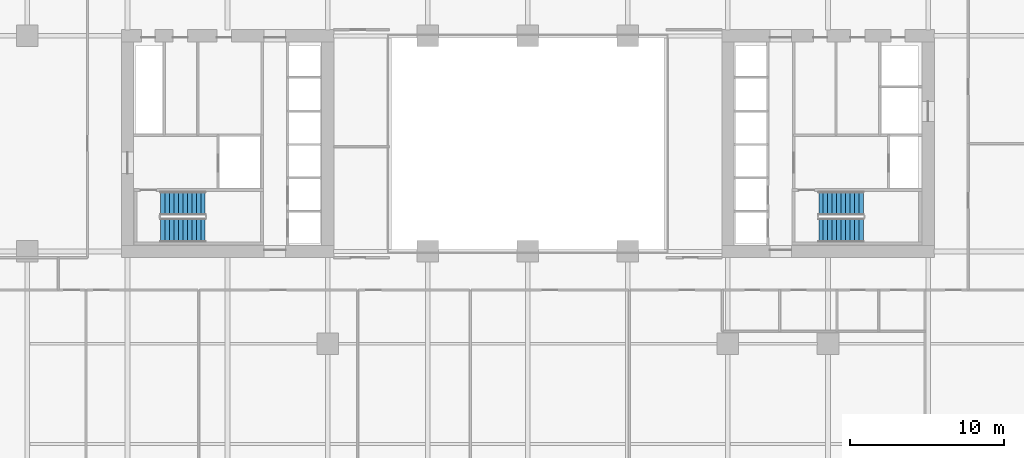
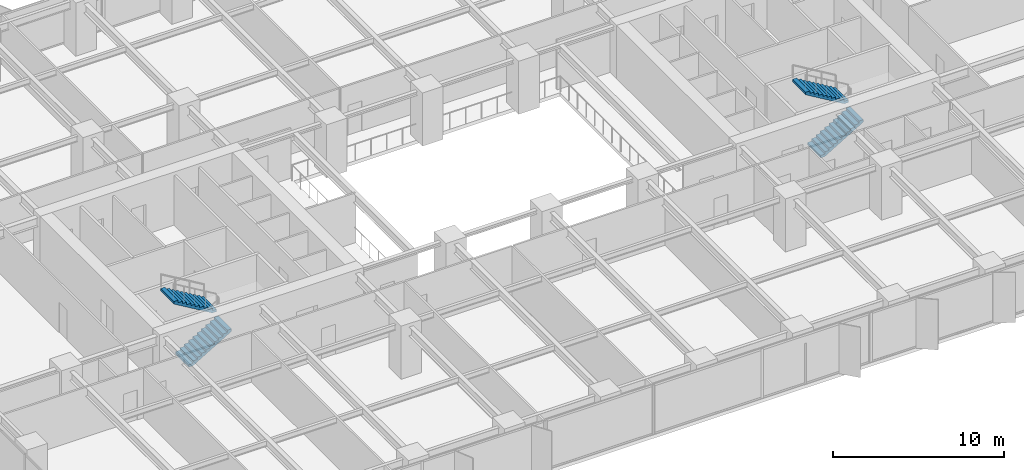
# One storey, part 16 of 20: 4 stair flights, 2 elements without a shape of their own.
"""IFC4 building model written with IfcOpenShell, lengths in metres."""

from ifc_helpers import new_model, si_unit, direction, frame, origin, place, context, subcontext, project, spatial, polyline, outline, extrude, material, type_object, element, aggregate, save


model = new_model("IFC4")

# Units and contexts
model_context = context("Model", 3, precision=1e-05, world=origin(), true_north=direction((0.0, 1.0)))
body_context = subcontext(model_context, "Body", "Model", "MODEL_VIEW")
ifc_project = project(units=[si_unit("LENGTHUNIT", "METRE"), si_unit("AREAUNIT", "SQUARE_METRE"), si_unit("VOLUMEUNIT", "CUBIC_METRE"), si_unit("PLANEANGLEUNIT", "RADIAN"), si_unit("MASSUNIT", "GRAM", prefix="KILO")], contexts=[model_context])

# Site, building, storey
site_placement = place(None, origin())
site = spatial("IfcSite", under=ifc_project, at=site_placement, CompositionType="ELEMENT")
building_placement = place(site_placement, origin())
building = spatial("IfcBuilding", under=site, at=building_placement, Name="Putna Gate Headquarters", CompositionType="ELEMENT")
storey_placement = place(building_placement, frame((0.0, 0.0, 69.60009765625)))
storey = spatial("IfcBuildingStorey", under=building, at=storey_placement, Name="L16", CompositionType="ELEMENT", Elevation=69.60009765625)

# Stair, stair flights
ifc_material = material(Name="Concrete C40/50", Category="concrete")
stair_type_1 = type_object("IfcStairType", Name="STAIR-ST1", PredefinedType="HALF_TURN_STAIR", material=ifc_material)
stair_1_placement = place(storey_placement, origin())
stair_1 = element("IfcStair", 1, at=stair_1_placement, inside=storey, type_object=stair_type_1, Name="L16 West Core Exit Stair ST1", PredefinedType="HALF_TURN_STAIR")
stair_flight_type_1 = type_object("IfcStairFlightType", Name="FLIGHT-ST1", PredefinedType="STRAIGHT", material=ifc_material)
stair_flight_1_placement = place(storey_placement, frame((15.14990234375, 20.375, 0.0), z_axis=(0.0, 0.0, 1.0), x_axis=(1.0, 0.0, 0.0)))
stair_flight_1 = element("IfcStairFlight", 2, at=stair_flight_1_placement, type_object=stair_flight_type_1, Name="ST1 flight 1", NumberOfRisers=11, NumberOfTreads=10, PredefinedType="STRAIGHT", RiserHeight=0.172727273, TreadLength=0.29, context=body_context, shape_type="SweptSolid", body=[
    extrude(outline(polyline([(0.0, 0.0), (0.0, 0.172607421875), (0.2900390625, 0.172607421875), (0.2900390625, 0.345458984375), (0.580078125, 0.345458984375), (0.580078125, 0.51806640625), (0.8701171875, 0.51806640625), (0.8701171875, 0.69091796875), (1.159912109375, 0.69091796875), (1.159912109375, 0.863525390625), (1.449951171875, 0.863525390625), (1.449951171875, 1.036376953125), (1.739990234375, 1.036376953125), (1.739990234375, 1.208984375), (2.030029296875, 1.208984375), (2.030029296875, 1.3818359375), (2.320068359375, 1.3818359375), (2.320068359375, 1.554443359375), (2.610107421875, 1.554443359375), (2.610107421875, 1.727294921875), (2.89990234375, 1.727294921875), (2.89990234375, 1.89990234375), (2.89990234375, 1.552734375), (0.29296875, 0.0), (0.0, 0.0)])), frame((0.0, 0.77490234375, 0.0), z_axis=(0.0, -1.0, 0.0), x_axis=(1.0, 0.0, 0.0)), (0.0, 0.0, 1.0), 1.550048828125),
])
stair_flight_2_placement = place(storey_placement, frame((18.050048828125, 22.125, 1.89990234375), z_axis=(0.0, 0.0, 1.0), x_axis=(-1.0, 0.0, 0.0)))
stair_flight_2 = element("IfcStairFlight", 3, at=stair_flight_2_placement, type_object=stair_flight_type_1, Name="ST1 flight 2", NumberOfRisers=11, NumberOfTreads=10, PredefinedType="STRAIGHT", RiserHeight=0.172727273, TreadLength=0.29, context=body_context, shape_type="SweptSolid", body=[
    extrude(outline(polyline([(0.0, 0.0), (0.0, 0.172607421875), (0.2900390625, 0.172607421875), (0.2900390625, 0.345458984375), (0.580078125, 0.345458984375), (0.580078125, 0.51806640625), (0.8701171875, 0.51806640625), (0.8701171875, 0.69091796875), (1.159912109375, 0.69091796875), (1.159912109375, 0.863525390625), (1.449951171875, 0.863525390625), (1.449951171875, 1.036376953125), (1.739990234375, 1.036376953125), (1.739990234375, 1.208984375), (2.030029296875, 1.208984375), (2.030029296875, 1.3818359375), (2.320068359375, 1.3818359375), (2.320068359375, 1.554443359375), (2.610107421875, 1.554443359375), (2.610107421875, 1.727294921875), (2.89990234375, 1.727294921875), (2.89990234375, 1.89990234375), (2.89990234375, 1.552734375), (0.29296875, 0.0), (0.0, 0.0)])), frame((0.0, 0.77490234375, 0.0), z_axis=(0.0, -1.0, 0.0), x_axis=(1.0, 0.0, 0.0)), (0.0, 0.0, 1.0), 1.550048828125),
])
aggregate(stair_1, [stair_flight_1, stair_flight_2])

stair_type_2 = type_object("IfcStairType", Name="STAIR-ST2", PredefinedType="HALF_TURN_STAIR", material=ifc_material)
stair_2_placement = place(storey_placement, origin())
stair_2 = element("IfcStair", 4, at=stair_2_placement, inside=storey, type_object=stair_type_2, Name="L16 East Core Exit Stair ST2", PredefinedType="HALF_TURN_STAIR")
stair_flight_type_2 = type_object("IfcStairFlightType", Name="FLIGHT-ST2", PredefinedType="STRAIGHT", material=ifc_material)
stair_flight_3_placement = place(storey_placement, frame((57.89990234375, 20.375, 0.0), z_axis=(0.0, 0.0, 1.0), x_axis=(1.0, 0.0, 0.0)))
stair_flight_3 = element("IfcStairFlight", 5, at=stair_flight_3_placement, type_object=stair_flight_type_2, Name="ST2 flight 1", NumberOfRisers=11, NumberOfTreads=10, PredefinedType="STRAIGHT", RiserHeight=0.172727273, TreadLength=0.29, context=body_context, shape_type="SweptSolid", body=[
    extrude(outline(polyline([(0.0, 0.0), (0.0, 0.172607421875), (0.2900390625, 0.172607421875), (0.2900390625, 0.345458984375), (0.580078125, 0.345458984375), (0.580078125, 0.51806640625), (0.8701171875, 0.51806640625), (0.8701171875, 0.69091796875), (1.159912109375, 0.69091796875), (1.159912109375, 0.863525390625), (1.449951171875, 0.863525390625), (1.449951171875, 1.036376953125), (1.739990234375, 1.036376953125), (1.739990234375, 1.208984375), (2.030029296875, 1.208984375), (2.030029296875, 1.3818359375), (2.320068359375, 1.3818359375), (2.320068359375, 1.554443359375), (2.610107421875, 1.554443359375), (2.610107421875, 1.727294921875), (2.89990234375, 1.727294921875), (2.89990234375, 1.89990234375), (2.89990234375, 1.552734375), (0.29296875, 0.0), (0.0, 0.0)])), frame((0.0, 0.77490234375, 0.0), z_axis=(0.0, -1.0, 0.0), x_axis=(1.0, 0.0, 0.0)), (0.0, 0.0, 1.0), 1.550048828125),
])
stair_flight_4_placement = place(storey_placement, frame((60.800048828125, 22.125, 1.89990234375), z_axis=(0.0, 0.0, 1.0), x_axis=(-1.0, 0.0, 0.0)))
stair_flight_4 = element("IfcStairFlight", 6, at=stair_flight_4_placement, type_object=stair_flight_type_2, Name="ST2 flight 2", NumberOfRisers=11, NumberOfTreads=10, PredefinedType="STRAIGHT", RiserHeight=0.172727273, TreadLength=0.29, context=body_context, shape_type="SweptSolid", body=[
    extrude(outline(polyline([(0.0, 0.0), (0.0, 0.172607421875), (0.2900390625, 0.172607421875), (0.2900390625, 0.345458984375), (0.580078125, 0.345458984375), (0.580078125, 0.51806640625), (0.8701171875, 0.51806640625), (0.8701171875, 0.69091796875), (1.159912109375, 0.69091796875), (1.159912109375, 0.863525390625), (1.449951171875, 0.863525390625), (1.449951171875, 1.036376953125), (1.739990234375, 1.036376953125), (1.739990234375, 1.208984375), (2.030029296875, 1.208984375), (2.030029296875, 1.3818359375), (2.320068359375, 1.3818359375), (2.320068359375, 1.554443359375), (2.610107421875, 1.554443359375), (2.610107421875, 1.727294921875), (2.89990234375, 1.727294921875), (2.89990234375, 1.89990234375), (2.89990234375, 1.552734375), (0.29296875, 0.0), (0.0, 0.0)])), frame((0.0, 0.77490234375, 0.0), z_axis=(0.0, -1.0, 0.0), x_axis=(1.0, 0.0, 0.0)), (0.0, 0.0, 1.0), 1.550048828125),
])
aggregate(stair_2, [stair_flight_3, stair_flight_4])

save(model, "model.ifc")
